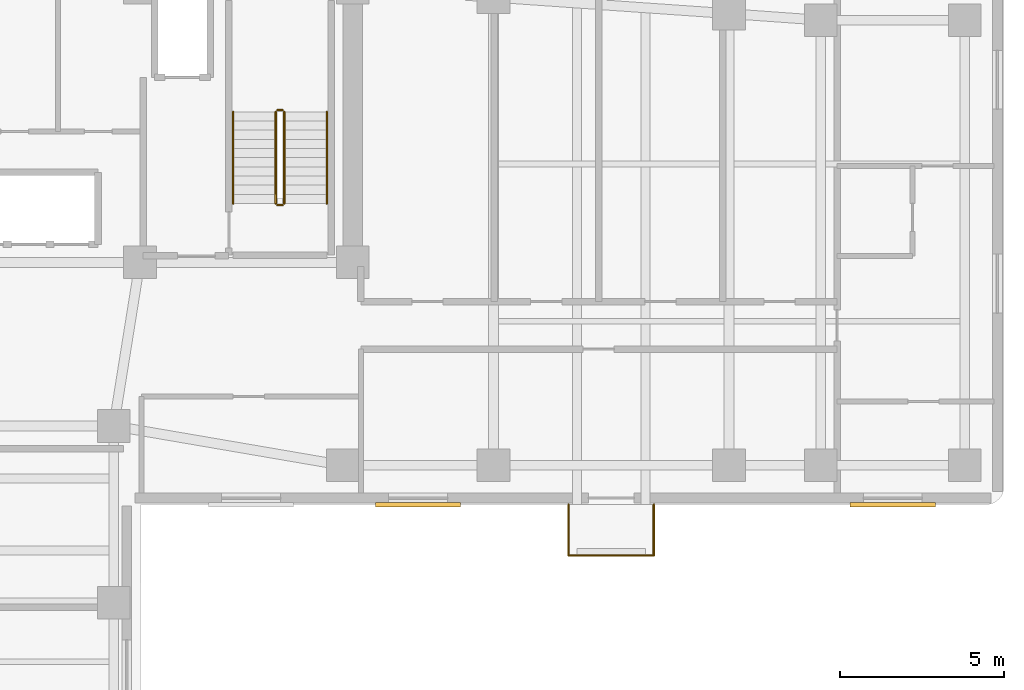
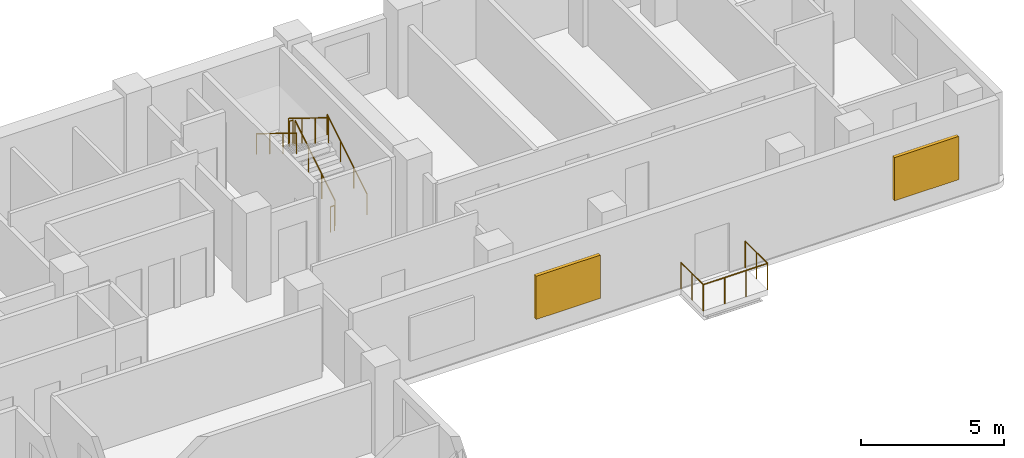
# One storey, part 7 of 7: 9 railings, 2 shading devices.
"""IFC4 building model written with IfcOpenShell, lengths in metres."""

from ifc_helpers import new_model, si_unit, direction, frame, origin, origin_2d, place, context, subcontext, project, spatial, rectangle, circle, extrude, material, layer, layer_set, type_object, element, save


model = new_model("IFC4")

# Units and contexts
model_context = context("Model", 3, precision=1e-05, world=origin(), true_north=direction((0.0, 1.0)))
body_context = subcontext(model_context, "Body", "Model", "MODEL_VIEW")
ifc_project = project(units=[si_unit("LENGTHUNIT", "METRE"), si_unit("AREAUNIT", "SQUARE_METRE"), si_unit("VOLUMEUNIT", "CUBIC_METRE"), si_unit("PLANEANGLEUNIT", "RADIAN"), si_unit("MASSUNIT", "GRAM", prefix="KILO")], contexts=[model_context])

# Site, building, storey
site_placement = place(None, origin())
site = spatial("IfcSite", under=ifc_project, at=site_placement, CompositionType="ELEMENT")
building_placement = place(site_placement, origin())
building = spatial("IfcBuilding", under=site, at=building_placement, Name="Kuzgunbayir Cultural Tower", CompositionType="ELEMENT")
storey_placement = place(building_placement, frame((0.0, 0.0, 152.199951171875)))
storey = spatial("IfcBuildingStorey", under=building, at=storey_placement, Name="L44", CompositionType="ELEMENT", Elevation=152.199951171875)

# Railings
ifc_material_1 = material(Name="Laminated Glass and Stainless Steel", Category="steel")
ifc_layer_1 = layer(ifc_material_1, 0.080078125)
ifc_layer_set_1 = layer_set([ifc_layer_1], Name="Laminated Glass and Stainless Steel")
railing_type_1 = type_object("IfcRailingType", Name="RLG-BAL-115", PredefinedType="BALUSTRADE", material=ifc_layer_set_1)
railing_1_placement = place(storey_placement, frame((33.5, 26.39990234375, 0.0)))
element("IfcRailing", 1, at=railing_1_placement, inside=storey, type_object=railing_type_1, Name="L44 Balcony Guard BAL-L44-WB2 Segment 1", PredefinedType="BALUSTRADE", context=body_context, shape_type="SweptSolid", body=[
    extrude(circle(Radius=0.02392578125, at=origin_2d()), frame((0.0, 0.0, 1.1259765625), z_axis=(0.0, -1.0, 0.0), x_axis=(1.0, 0.0, 0.0)), (0.0, 0.0, 1.0), 1.559814453125),
    extrude(circle(Radius=0.02099609375, at=origin_2d()), origin(), (0.0, 0.0, 1.0), 1.101806640625),
    extrude(circle(Radius=0.02099609375, at=origin_2d()), frame((0.0, -0.77978515625, 0.0)), (0.0, 0.0, 1.0), 1.101806640625),
    extrude(circle(Radius=0.02099609375, at=origin_2d()), frame((0.0, -1.559814453125, 0.0)), (0.0, 0.0, 1.0), 1.101806640625),
])
railing_2_placement = place(storey_placement, frame((33.5, 24.840087890625, 0.0)))
element("IfcRailing", 2, at=railing_2_placement, inside=storey, type_object=railing_type_1, Name="L44 Balcony Guard BAL-L44-WB2 Segment 2", PredefinedType="BALUSTRADE", context=body_context, shape_type="SweptSolid", body=[
    extrude(circle(Radius=0.02392578125, at=origin_2d()), frame((0.0, 0.0, 1.1259765625), z_axis=(1.0, 0.0, 0.0), x_axis=(0.0, 1.0, 0.0)), (0.0, 0.0, 1.0), 2.60009765625),
    extrude(circle(Radius=0.02099609375, at=origin_2d()), origin(), (0.0, 0.0, 1.0), 1.101806640625),
    extrude(circle(Radius=0.02099609375, at=origin_2d()), frame((0.86669921875, 0.0, 0.0)), (0.0, 0.0, 1.0), 1.101806640625),
    extrude(circle(Radius=0.02099609375, at=origin_2d()), frame((1.7333984375, 0.0, 0.0)), (0.0, 0.0, 1.0), 1.101806640625),
    extrude(circle(Radius=0.02099609375, at=origin_2d()), frame((2.60009765625, 0.0, 0.0)), (0.0, 0.0, 1.0), 1.101806640625),
])
railing_3_placement = place(storey_placement, frame((36.10009765625, 24.840087890625, 0.0)))
element("IfcRailing", 3, at=railing_3_placement, inside=storey, type_object=railing_type_1, Name="L44 Balcony Guard BAL-L44-WB2 Segment 3", PredefinedType="BALUSTRADE", context=body_context, shape_type="SweptSolid", body=[
    extrude(circle(Radius=0.02392578125, at=origin_2d()), frame((0.0, 0.0, 1.1259765625), z_axis=(0.0, 1.0, 0.0), x_axis=(-1.0, 0.0, 0.0)), (0.0, 0.0, 1.0), 1.559814453125),
    extrude(circle(Radius=0.02099609375, at=origin_2d()), origin(), (0.0, 0.0, 1.0), 1.101806640625),
    extrude(circle(Radius=0.02099609375, at=origin_2d()), frame((0.0, 0.77978515625, 0.0)), (0.0, 0.0, 1.0), 1.101806640625),
    extrude(circle(Radius=0.02099609375, at=origin_2d()), frame((0.0, 1.559814453125, 0.0)), (0.0, 0.0, 1.0), 1.101806640625),
])
ifc_material_2 = material(Name="Brushed Stainless Steel", Category="steel")
ifc_layer_2 = layer(ifc_material_2, 0.050048828125)
ifc_layer_set_2 = layer_set([ifc_layer_2], Name="Brushed Stainless Steel")
railing_type_2 = type_object("IfcRailingType", Name="RLG-STAIR-HANDRAIL", PredefinedType="HANDRAIL", material=ifc_layer_set_2)
railing_4_placement = place(storey_placement, frame((26.110107421875, 35.60009765625, 0.1728515625)))
element("IfcRailing", 4, at=railing_4_placement, inside=storey, type_object=railing_type_2, Name="L44 ST-2 stair handrail 1", PredefinedType="HANDRAIL", context=body_context, shape_type="SweptSolid", body=[
    extrude(circle(Radius=0.02392578125, at=origin_2d()), frame((0.0, 0.0, 0.8759765625), z_axis=(0.0, 0.851069175582, 0.525053576669), x_axis=(-1.0, 0.0, 0.0)), (0.0, 0.0, 1.0), 3.289794921875),
    extrude(circle(Radius=0.02099609375, at=origin_2d()), origin(), (0.0, 0.0, 1.0), 0.851806640625),
    extrude(circle(Radius=0.02099609375, at=origin_2d()), frame((0.0, 0.933349609375, 0.57568359375)), (0.0, 0.0, 1.0), 0.851806640625),
    extrude(circle(Radius=0.02099609375, at=origin_2d()), frame((0.0, 1.866455078125, 1.151611328125)), (0.0, 0.0, 1.0), 0.851806640625),
    extrude(circle(Radius=0.02099609375, at=origin_2d()), frame((0.0, 2.7998046875, 1.727294921875)), (0.0, 0.0, 1.0), 0.851806640625),
])
railing_5_placement = place(storey_placement, frame((23.25, 38.39990234375, 2.07275390625)))
element("IfcRailing", 5, at=railing_5_placement, inside=storey, type_object=railing_type_2, Name="L44 ST-2 stair handrail 2", PredefinedType="HANDRAIL", context=body_context, shape_type="SweptSolid", body=[
    extrude(circle(Radius=0.02392578125, at=origin_2d()), frame((0.0, 0.0, 0.8759765625), z_axis=(0.0, -0.851069175582, 0.525053576669), x_axis=(1.0, 0.0, 0.0)), (0.0, 0.0, 1.0), 3.289794921875),
    extrude(circle(Radius=0.02099609375, at=origin_2d()), origin(), (0.0, 0.0, 1.0), 0.851806640625),
    extrude(circle(Radius=0.02099609375, at=origin_2d()), frame((0.0, -0.933349609375, 0.57568359375)), (0.0, 0.0, 1.0), 0.851806640625),
    extrude(circle(Radius=0.02099609375, at=origin_2d()), frame((0.0, -1.866455078125, 1.151611328125)), (0.0, 0.0, 1.0), 0.851806640625),
    extrude(circle(Radius=0.02099609375, at=origin_2d()), frame((0.0, -2.7998046875, 1.727294921875)), (0.0, 0.0, 1.0), 0.851806640625),
])
ifc_material_3 = material(Name="Painted Steel Balustrade", Category="steel")
ifc_layer_3 = layer(ifc_material_3, 0.06005859375)
ifc_layer_set_3 = layer_set([ifc_layer_3], Name="Painted Steel Balustrade")
railing_type_3 = type_object("IfcRailingType", Name="RLG-WELL-GUARD", PredefinedType="GUARDRAIL", material=ifc_layer_set_3)
railing_6_placement = place(storey_placement, frame((24.81005859375, 35.60009765625, 0.1728515625)))
element("IfcRailing", 6, at=railing_6_placement, inside=storey, type_object=railing_type_3, Name="L44 ST-2 stair guard 1", PredefinedType="GUARDRAIL", context=body_context, shape_type="SweptSolid", body=[
    extrude(circle(Radius=0.02392578125, at=origin_2d()), frame((0.0, 0.0, 1.076171875), z_axis=(0.0, 0.851069175582, 0.525053576669), x_axis=(-1.0, 0.0, 0.0)), (0.0, 0.0, 1.0), 3.289794921875),
    extrude(circle(Radius=0.02099609375, at=origin_2d()), origin(), (0.0, 0.0, 1.0), 1.052001953125),
    extrude(circle(Radius=0.02099609375, at=origin_2d()), frame((0.0, 0.933349609375, 0.57568359375)), (0.0, 0.0, 1.0), 1.052001953125),
    extrude(circle(Radius=0.02099609375, at=origin_2d()), frame((0.0, 1.866455078125, 1.151611328125)), (0.0, 0.0, 1.0), 1.052001953125),
    extrude(circle(Radius=0.02099609375, at=origin_2d()), frame((0.0, 2.7998046875, 1.727294921875)), (0.0, 0.0, 1.0), 1.052001953125),
])
railing_7_placement = place(storey_placement, frame((24.760009765625, 38.449951171875, 1.900146484375)))
element("IfcRailing", 7, at=railing_7_placement, inside=storey, type_object=railing_type_3, Name="L44 ST-2 stair guard 2", PredefinedType="GUARDRAIL", context=body_context, shape_type="SweptSolid", body=[
    extrude(circle(Radius=0.02392578125, at=origin_2d()), frame((0.0, 0.0, 1.076171875), z_axis=(-1.0, 0.0, 0.0), x_axis=(0.0, -1.0, 0.0)), (0.0, 0.0, 1.0), 0.159912109375),
    extrude(circle(Radius=0.02099609375, at=origin_2d()), origin(), (0.0, 0.0, 1.0), 1.052001953125),
    extrude(circle(Radius=0.02099609375, at=origin_2d()), frame((-0.159912109375, 0.0, 0.0)), (0.0, 0.0, 1.0), 1.052001953125),
])
railing_8_placement = place(storey_placement, frame((24.550048828125, 38.39990234375, 2.07275390625)))
element("IfcRailing", 8, at=railing_8_placement, inside=storey, type_object=railing_type_3, Name="L44 ST-2 stair guard 3", PredefinedType="GUARDRAIL", context=body_context, shape_type="SweptSolid", body=[
    extrude(circle(Radius=0.02392578125, at=origin_2d()), frame((0.0, 0.0, 1.076171875), z_axis=(0.0, -0.851069175582, 0.525053576669), x_axis=(1.0, 0.0, 0.0)), (0.0, 0.0, 1.0), 3.289794921875),
    extrude(circle(Radius=0.02099609375, at=origin_2d()), origin(), (0.0, 0.0, 1.0), 1.052001953125),
    extrude(circle(Radius=0.02099609375, at=origin_2d()), frame((0.0, -0.933349609375, 0.57568359375)), (0.0, 0.0, 1.0), 1.052001953125),
    extrude(circle(Radius=0.02099609375, at=origin_2d()), frame((0.0, -1.866455078125, 1.151611328125)), (0.0, 0.0, 1.0), 1.052001953125),
    extrude(circle(Radius=0.02099609375, at=origin_2d()), frame((0.0, -2.7998046875, 1.727294921875)), (0.0, 0.0, 1.0), 1.052001953125),
])
railing_9_placement = place(storey_placement, frame((24.760009765625, 35.550048828125, 0.0)))
element("IfcRailing", 9, at=railing_9_placement, inside=storey, type_object=railing_type_3, Name="L44 ST-2 stair guard 4", PredefinedType="GUARDRAIL", context=body_context, shape_type="SweptSolid", body=[
    extrude(circle(Radius=0.02392578125, at=origin_2d()), frame((0.0, 0.0, 1.076171875), z_axis=(-1.0, 0.0, 0.0), x_axis=(0.0, -1.0, 0.0)), (0.0, 0.0, 1.0), 0.159912109375),
    extrude(circle(Radius=0.02099609375, at=origin_2d()), origin(), (0.0, 0.0, 1.0), 1.052001953125),
    extrude(circle(Radius=0.02099609375, at=origin_2d()), frame((-0.159912109375, 0.0, 0.0)), (0.0, 0.0, 1.0), 1.052001953125),
])

# Shading devices
ifc_material_4 = material(Name="Perforated Bronze-Anodised Aluminium", Category="aluminium")
shading_device_type = type_object("IfcShadingDeviceType", Name="SHD-SOLAR-BRONZE", PredefinedType="JALOUSIE", material=ifc_material_4)
for number, where, z_axis, x_axis, name in (
    (10, (28.89990234375, 26.39990234375, 0.794921875), (0.0, 0.0, 1.0), (1.0, 0.0, 0.0), "L44 Solar Screen WBS14"),
    (11, (43.39990234375, 26.39990234375, 0.794921875), (0.0, 0.0, 1.0), (1.0, 0.0, 0.0), "L44 Solar Screen WBS15"),
):
    element("IfcShadingDevice", number, at=place(storey_placement, frame(where, z_axis=z_axis, x_axis=x_axis)), inside=storey, type_object=shading_device_type, Name=name, PredefinedType="JALOUSIE", context=body_context, shape_type="SweptSolid", body=[
        extrude(rectangle(XDim=2.60009765625, YDim=0.139892578125, at=origin_2d()), origin(), (0.0, 0.0, 1.0), 1.85009765625),
    ])

save(model, "model.ifc")
